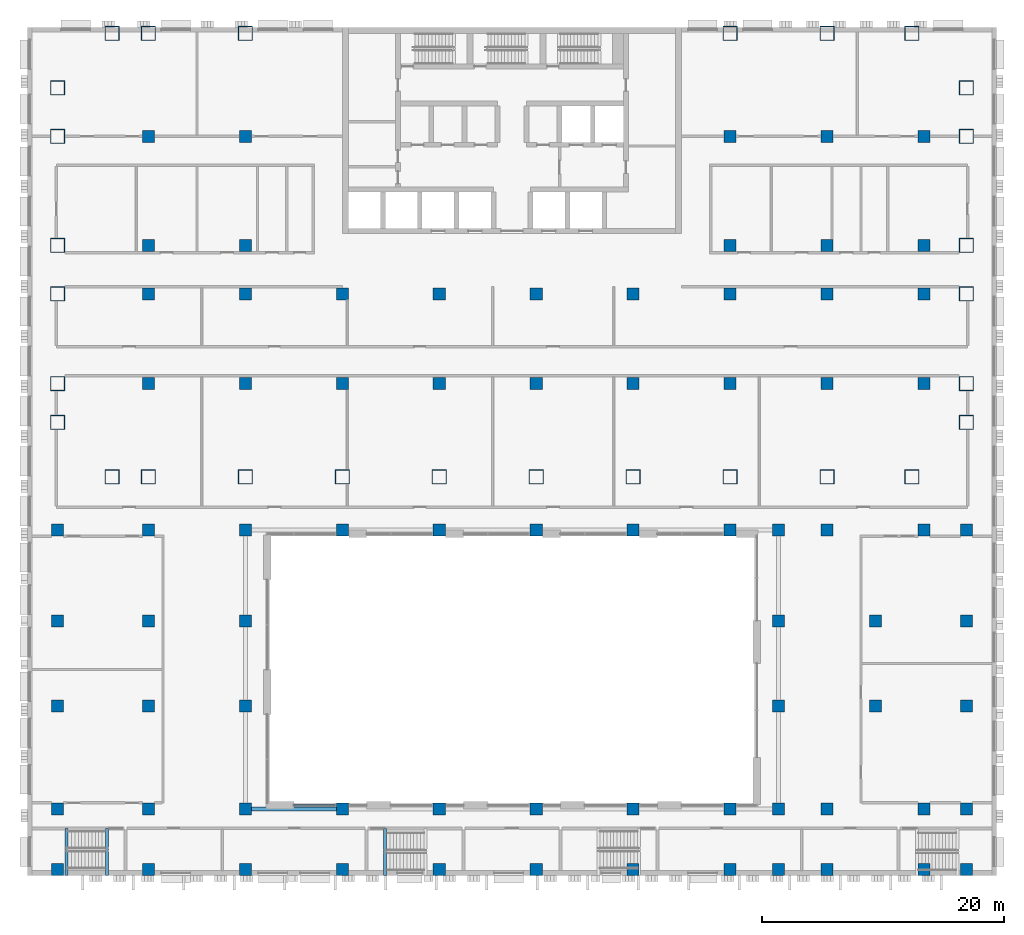
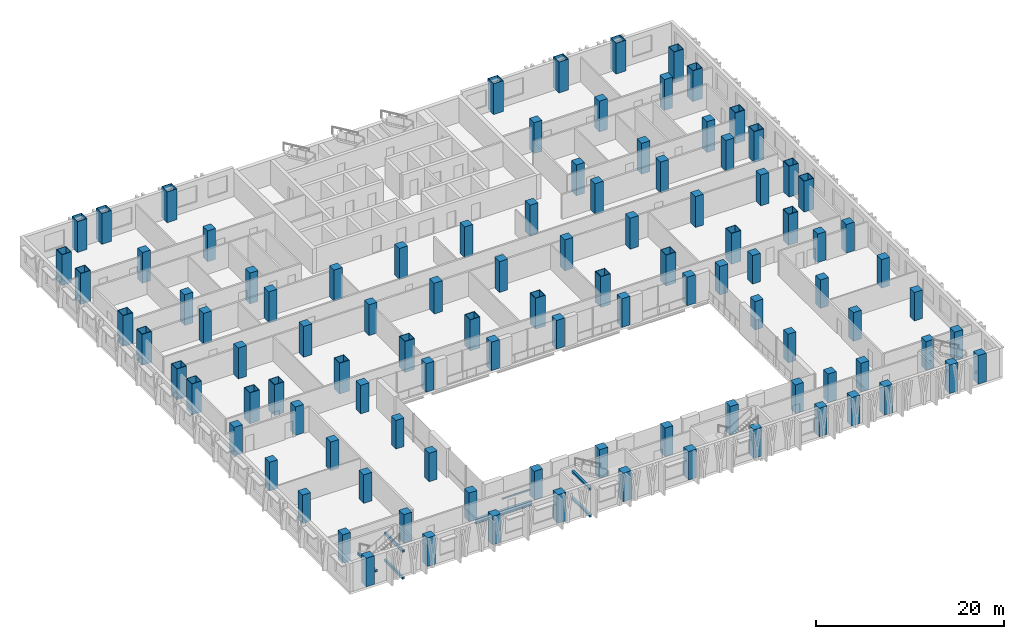
# One storey, part 1 of 24: 104 columns, 6 beams, 1 member, 1 element without a shape of its own.
"""IFC4 building model written with IfcOpenShell, lengths in metres."""

from ifc_helpers import new_model, si_unit, direction, frame, origin, origin_2d, place, context, subcontext, project, spatial, rectangle, hollow_rectangle, i_section, extrude, material, material_profile, profile_set, type_object, element, aggregate, save


model = new_model("IFC4")

# Units and contexts
model_context = context("Model", 3, precision=1e-05, world=origin(), true_north=direction((0.0, 1.0)))
body_context = subcontext(model_context, "Body", "Model", "MODEL_VIEW")
ifc_project = project(units=[si_unit("LENGTHUNIT", "METRE"), si_unit("AREAUNIT", "SQUARE_METRE"), si_unit("VOLUMEUNIT", "CUBIC_METRE"), si_unit("PLANEANGLEUNIT", "RADIAN"), si_unit("MASSUNIT", "GRAM", prefix="KILO")], contexts=[model_context])

# Site, building, storey
site_placement = place(None, origin())
site = spatial("IfcSite", under=ifc_project, at=site_placement, CompositionType="ELEMENT")
building_placement = place(site_placement, origin())
building = spatial("IfcBuilding", under=site, at=building_placement, Name="Vidyagriha Tower", CompositionType="ELEMENT")
storey_placement = place(building_placement, frame((0.0, 0.0, 22.0)))
storey = spatial("IfcBuildingStorey", under=building, at=storey_placement, Name="L05", CompositionType="ELEMENT", Elevation=22.0)

# Columns
ifc_material_1 = material(Name="Steel ASTM A572 Grade 50", Category="steel")
ifc_material_profile_1 = material_profile(ifc_material_1, hollow_rectangle(XDim=1.199951171875, YDim=1.199951171875, WallThickness=0.06005859375, at=origin_2d()), Name="BOX 1200x1200x60")
ifc_profile_set_1 = profile_set([ifc_material_profile_1], Name="Steel ASTM A572 Grade 50")
column_type_1 = type_object("IfcColumnType", Name="Exoskeleton column BOX 1200x1200x60", PredefinedType="COLUMN", material=ifc_profile_set_1)
for number, where, name in (
    (1, (-33.0, -17.10009765625, 0.0), "st-col-L05-B1-001"),
    (2, (-30.0, -17.10009765625, 0.0), "st-col-L05-B1-002"),
    (3, (-22.0, -17.10009765625, 0.0), "st-col-L05-B1-003"),
    (4, (-14.0, -17.10009765625, 0.0), "st-col-L05-B1-004"),
    (5, (-6.0, -17.10009765625, 0.0), "st-col-L05-B1-005"),
    (6, (2.0, -17.10009765625, 0.0), "st-col-L05-B1-006"),
    (7, (10.0, -17.10009765625, 0.0), "st-col-L05-B1-007"),
    (8, (18.0, -17.10009765625, 0.0), "st-col-L05-B1-008"),
    (9, (26.0, -17.10009765625, 0.0), "st-col-L05-B1-009"),
    (10, (33.0, -17.10009765625, 0.0), "st-col-L05-B1-010"),
    (11, (-37.5, -12.60009765625, 0.0), "st-col-L05-B1-011"),
    (12, (37.5, -12.60009765625, 0.0), "st-col-L05-B1-012"),
    (13, (-37.5, -9.39990234375, 0.0), "st-col-L05-B1-013"),
    (14, (37.5, -9.39990234375, 0.0), "st-col-L05-B1-023"),
    (15, (-37.5, -2.0, 0.0), "st-col-L05-B1-024"),
    (16, (37.5, -2.0, 0.0), "st-col-L05-B1-034"),
    (17, (-37.5, 2.0, 0.0), "st-col-L05-B1-035"),
    (18, (37.5, 2.0, 0.0), "st-col-L05-B1-041"),
    (19, (-37.5, 11.0, 0.0), "st-col-L05-B1-042"),
    (20, (37.5, 11.0, 0.0), "st-col-L05-B1-048"),
    (21, (-37.5, 15.0, 0.0), "st-col-L05-B1-049"),
    (22, (37.5, 15.0, 0.0), "st-col-L05-B1-050"),
    (23, (-33.0, 19.5, 0.0), "st-col-L05-B1-051"),
    (24, (-30.0, 19.5, 0.0), "st-col-L05-B1-052"),
    (25, (-22.0, 19.5, 0.0), "st-col-L05-B1-053"),
    (26, (18.0, 19.5, 0.0), "st-col-L05-B1-054"),
    (27, (26.0, 19.5, 0.0), "st-col-L05-B1-055"),
    (28, (33.0, 19.5, 0.0), "st-col-L05-B1-056"),
):
    element("IfcColumn", number, at=place(storey_placement, frame(where)), inside=storey, type_object=column_type_1, Name=name, PredefinedType="COLUMN", context=body_context, shape_type="SweptSolid", body=[
        extrude(hollow_rectangle(XDim=1.199951171875, YDim=1.199951171875, WallThickness=0.06005859375, at=origin_2d()), origin(), (0.0, 0.0, 1.0), 4.0),
    ])
ifc_material_2 = material(Name="Concrete C80/95", Category="concrete")
ifc_material_profile_2 = material_profile(ifc_material_2, rectangle(XDim=1.0, YDim=1.0, at=origin_2d()), Name="RC 1000x1000")
ifc_profile_set_2 = profile_set([ifc_material_profile_2], Name="Concrete C80/95")
column_type_2 = type_object("IfcColumnType", Name="Frame column RC 1000x1000", PredefinedType="COLUMN", material=ifc_profile_set_2)
for number, where, name in (
    (29, (-30.0, -9.39990234375, 0.0), "st-col-L05-B1-014"),
    (30, (-22.0, -9.39990234375, 0.0), "st-col-L05-B1-015"),
    (31, (-14.0, -9.39990234375, 0.0), "st-col-L05-B1-016"),
    (32, (-6.0, -9.39990234375, 0.0), "st-col-L05-B1-017"),
    (33, (2.0, -9.39990234375, 0.0), "st-col-L05-B1-018"),
    (34, (10.0, -9.39990234375, 0.0), "st-col-L05-B1-019"),
    (35, (18.0, -9.39990234375, 0.0), "st-col-L05-B1-020"),
    (36, (26.0, -9.39990234375, 0.0), "st-col-L05-B1-021"),
    (37, (34.0, -9.39990234375, 0.0), "st-col-L05-B1-022"),
    (38, (-30.0, -2.0, 0.0), "st-col-L05-B1-025"),
    (39, (-22.0, -2.0, 0.0), "st-col-L05-B1-026"),
    (40, (-14.0, -2.0, 0.0), "st-col-L05-B1-027"),
    (41, (-6.0, -2.0, 0.0), "st-col-L05-B1-028"),
    (42, (2.0, -2.0, 0.0), "st-col-L05-B1-029"),
    (43, (10.0, -2.0, 0.0), "st-col-L05-B1-030"),
    (44, (18.0, -2.0, 0.0), "st-col-L05-B1-031"),
    (45, (26.0, -2.0, 0.0), "st-col-L05-B1-032"),
    (46, (34.0, -2.0, 0.0), "st-col-L05-B1-033"),
    (47, (-30.0, 2.0, 0.0), "st-col-L05-B1-036"),
    (48, (-22.0, 2.0, 0.0), "st-col-L05-B1-037"),
    (49, (18.0, 2.0, 0.0), "st-col-L05-B1-038"),
    (50, (26.0, 2.0, 0.0), "st-col-L05-B1-039"),
    (51, (34.0, 2.0, 0.0), "st-col-L05-B1-040"),
    (52, (-30.0, 11.0, 0.0), "st-col-L05-B1-043"),
    (53, (-22.0, 11.0, 0.0), "st-col-L05-B1-044"),
    (54, (18.0, 11.0, 0.0), "st-col-L05-B1-045"),
    (55, (26.0, 11.0, 0.0), "st-col-L05-B1-046"),
    (56, (34.0, 11.0, 0.0), "st-col-L05-B1-047"),
):
    element("IfcColumn", number, at=place(storey_placement, frame(where)), inside=storey, type_object=column_type_2, Name=name, PredefinedType="COLUMN", context=body_context, shape_type="SweptSolid", body=[
        extrude(rectangle(XDim=1.0, YDim=1.0, at=origin_2d()), origin(), (0.0, 0.0, 1.0), 4.0),
    ])
ifc_material_3 = material(Name="Concrete C80/95", Category="concrete")
ifc_material_profile_3 = material_profile(ifc_material_3, rectangle(XDim=1.0, YDim=1.0, at=origin_2d()), Name="RC 1000x1000")
ifc_profile_set_3 = profile_set([ifc_material_profile_3], Name="Concrete C80/95")
column_type_3 = type_object("IfcColumnType", Name="Podium column RC 1000x1000", PredefinedType="COLUMN", material=ifc_profile_set_3)
for number, where, name in (
    (57, (-37.5, -49.5, 0.0), "st-col-L05-P-057"),
    (58, (-30.0, -49.5, 0.0), "st-col-L05-P-058"),
    (59, (-22.0, -49.5, 0.0), "st-col-L05-P-059"),
    (60, (-14.0, -49.5, 0.0), "st-col-L05-P-060"),
    (61, (-6.0, -49.5, 0.0), "st-col-L05-P-061"),
    (62, (2.0, -49.5, 0.0), "st-col-L05-P-062"),
    (63, (10.0, -49.5, 0.0), "st-col-L05-P-063"),
    (64, (18.0, -49.5, 0.0), "st-col-L05-P-064"),
    (65, (22.0, -49.5, 0.0), "st-col-L05-P-065"),
    (66, (26.0, -49.5, 0.0), "st-col-L05-P-066"),
    (67, (34.0, -49.5, 0.0), "st-col-L05-P-067"),
    (68, (37.5, -49.5, 0.0), "st-col-L05-P-068"),
    (69, (-37.5, -44.5, 0.0), "st-col-L05-P-069"),
    (70, (-30.0, -44.5, 0.0), "st-col-L05-P-070"),
    (71, (-22.0, -44.5, 0.0), "st-col-L05-P-071"),
    (72, (-14.0, -44.5, 0.0), "st-col-L05-P-072"),
    (73, (-6.0, -44.5, 0.0), "st-col-L05-P-073"),
    (74, (2.0, -44.5, 0.0), "st-col-L05-P-074"),
    (75, (10.0, -44.5, 0.0), "st-col-L05-P-075"),
    (76, (18.0, -44.5, 0.0), "st-col-L05-P-076"),
    (77, (22.0, -44.5, 0.0), "st-col-L05-P-077"),
    (78, (26.0, -44.5, 0.0), "st-col-L05-P-078"),
    (79, (34.0, -44.5, 0.0), "st-col-L05-P-079"),
    (80, (37.5, -44.5, 0.0), "st-col-L05-P-080"),
    (81, (-37.5, -36.0, 0.0), "st-col-L05-P-081"),
    (82, (-30.0, -36.0, 0.0), "st-col-L05-P-082"),
    (83, (-22.0, -36.0, 0.0), "st-col-L05-P-083"),
    (84, (22.0, -36.0, 0.0), "st-col-L05-P-084"),
    (85, (30.0, -36.0, 0.0), "st-col-L05-P-085"),
    (86, (37.5, -36.0, 0.0), "st-col-L05-P-086"),
    (87, (-37.5, -29.0, 0.0), "st-col-L05-P-087"),
    (88, (-30.0, -29.0, 0.0), "st-col-L05-P-088"),
    (89, (-22.0, -29.0, 0.0), "st-col-L05-P-089"),
    (90, (22.0, -29.0, 0.0), "st-col-L05-P-090"),
    (91, (30.0, -29.0, 0.0), "st-col-L05-P-091"),
    (92, (37.5, -29.0, 0.0), "st-col-L05-P-092"),
    (93, (-37.5, -21.5, 0.0), "st-col-L05-P-093"),
    (94, (-30.0, -21.5, 0.0), "st-col-L05-P-094"),
    (95, (-22.0, -21.5, 0.0), "st-col-L05-P-095"),
    (96, (-14.0, -21.5, 0.0), "st-col-L05-P-096"),
    (97, (-6.0, -21.5, 0.0), "st-col-L05-P-097"),
    (98, (2.0, -21.5, 0.0), "st-col-L05-P-098"),
    (99, (10.0, -21.5, 0.0), "st-col-L05-P-099"),
    (100, (18.0, -21.5, 0.0), "st-col-L05-P-100"),
    (101, (22.0, -21.5, 0.0), "st-col-L05-P-101"),
    (102, (26.0, -21.5, 0.0), "st-col-L05-P-102"),
    (103, (34.0, -21.5, 0.0), "st-col-L05-P-103"),
    (104, (37.5, -21.5, 0.0), "st-col-L05-P-104"),
):
    element("IfcColumn", number, at=place(storey_placement, frame(where)), inside=storey, type_object=column_type_3, Name=name, PredefinedType="COLUMN", context=body_context, shape_type="SweptSolid", body=[
        extrude(rectangle(XDim=1.0, YDim=1.0, at=origin_2d()), origin(), (0.0, 0.0, 1.0), 3.699951171875),
    ])

# Beams
ifc_material_4 = material(Name="Steel ASTM A992 Grade 50", Category="steel")
ifc_material_profile_4 = material_profile(ifc_material_4, i_section(OverallWidth=0.32373046875, OverallDepth=0.612060546875, WebThickness=0.0126953125, FlangeThickness=0.01904296875, at=origin_2d()), Name="W24X104")
ifc_profile_set_4 = profile_set([ifc_material_profile_4], Name="Steel ASTM A992 Grade 50")
beam_type_1 = type_object("IfcBeamType", Name="Atrium edge beam W24X104", PredefinedType="BEAM", material=ifc_profile_set_4)
beam_placement = place(storey_placement, frame((-21.5, -44.5, -0.60595703125), z_axis=(1.0, 0.0, 0.0), x_axis=(0.0, 1.0, 0.0)))
element("IfcBeam", 105, at=beam_placement, inside=storey, type_object=beam_type_1, Name="st-beam-L05-AT01", PredefinedType="BEAM", context=body_context, shape_type="SweptSolid", body=[
    extrude(i_section(OverallWidth=0.32373046875, OverallDepth=0.612060546875, WebThickness=0.0126953125, FlangeThickness=0.01904296875, at=origin_2d()), origin(), (0.0, 0.0, 1.0), 7.0),
])
ifc_material_5 = material(Name="Concrete C40/50", Category="concrete")
ifc_material_profile_5 = material_profile(ifc_material_5, rectangle(XDim=0.25, YDim=0.300048828125, at=origin_2d()), Name="Stair landing bearing beam 250x300")
ifc_profile_set_5 = profile_set([ifc_material_profile_5], Name="Concrete C40/50")
beam_type_2 = type_object("IfcBeamType", Name="Stair landing bearing beam 250x300", PredefinedType="BEAM", material=ifc_profile_set_5)
for number, where, z_axis, x_axis, name in (
    (106, (-33.419921875, -50.0, -0.449951171875), (0.0, 1.0, 0.0), (-1.0, 0.0, 0.0), "PS1 floor landing bearing beam L05"),
    (107, (-36.760009765625, -50.0, 1.64990234375), (0.0, 1.0, 0.0), (-1.0, 0.0, 0.0), "PS1 landing bearing beam L05"),
    (108, (-33.419921875, -50.0, 3.050048828125), (0.0, 1.0, 0.0), (-1.0, 0.0, 0.0), "PS1 floor landing bearing beam L06"),
    (109, (-10.47998046875, -50.0, -0.449951171875), (0.0, 1.0, 0.0), (-1.0, 0.0, 0.0), "PS3 floor landing bearing beam L05"),
    (110, (-10.47998046875, -50.0, 3.050048828125), (0.0, 1.0, 0.0), (-1.0, 0.0, 0.0), "PS3 floor landing bearing beam L06"),
):
    element("IfcBeam", number, at=place(storey_placement, frame(where, z_axis=z_axis, x_axis=x_axis)), inside=storey, type_object=beam_type_2, Name=name, PredefinedType="BEAM", context=body_context, shape_type="SweptSolid", body=[
        extrude(rectangle(XDim=0.25, YDim=0.300048828125, at=origin_2d()), origin(), (0.0, 0.0, 1.0), 3.89990234375),
    ])

# Curtain wall, member
ifc_material_6 = material(Name="Aluminium and glass curtain wall", Category="aluminium")
curtain_wall_type = type_object("IfcCurtainWallType", Name="Atrium screen curtain wall", PredefinedType="USERDEFINED", material=ifc_material_6)
curtain_wall_placement = place(storey_placement, origin())
curtain_wall = element("IfcCurtainWall", 111, at=curtain_wall_placement, inside=storey, type_object=curtain_wall_type, Name="CW6 atrium screen", ObjectType="UNITISED", PredefinedType="USERDEFINED")
ifc_material_7 = material(Name="Aluminium black anodised", Category="aluminium")
ifc_material_profile_6 = material_profile(ifc_material_7, rectangle(XDim=0.159912109375, YDim=0.10009765625, at=origin_2d()), Name="Transom 100x160 black aluminium")
ifc_profile_set_6 = profile_set([ifc_material_profile_6], Name="Aluminium black anodised")
member_type = type_object("IfcMemberType", Name="Transom 100x160 black aluminium", PredefinedType="USERDEFINED", material=ifc_profile_set_6)
member_placement = place(storey_placement, frame((-14.60009765625, -44.199951171875, 0.89990234375), z_axis=(-1.0, 0.0, 0.0), x_axis=(0.0, -1.0, 0.0)))
member = element("IfcMember", 112, at=member_placement, type_object=member_type, Name="CW6 transom 1.1", ObjectType="TRANSOM", PredefinedType="USERDEFINED", context=body_context, shape_type="SweptSolid", body=[
    extrude(rectangle(XDim=0.159912109375, YDim=0.10009765625, at=origin_2d()), origin(), (0.0, 0.0, 1.0), 3.39990234375),
])
aggregate(curtain_wall, [member])

save(model, "model.ifc")
